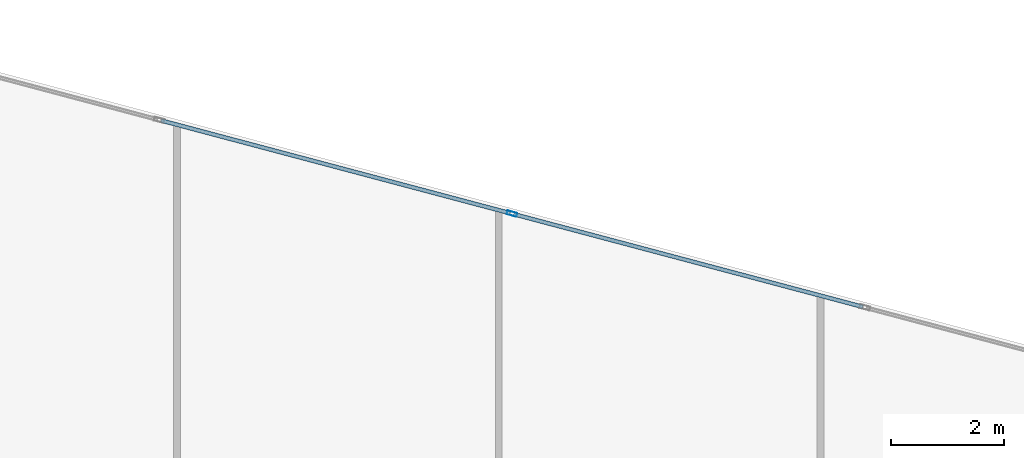
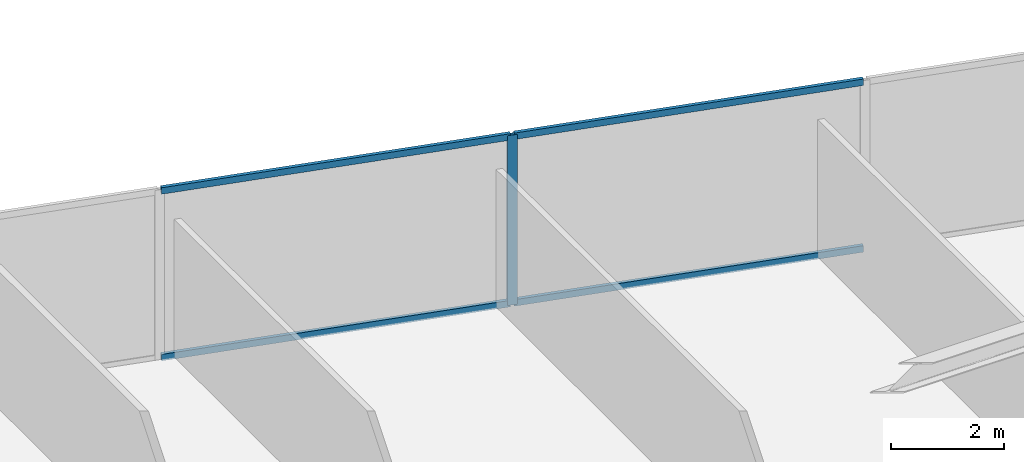
# One storey, part 18 of 27: 5 members, 1 element without a shape of its own.
"""IFC4 building model written with IfcOpenShell, lengths in metres."""

from ifc_helpers import new_model, si_unit, direction, frame, origin, origin_2d, place, context, subcontext, project, spatial, hollow_rectangle, extrude, source, transform, mapped, material, material_profile, profile_set, type_object, type_shapes, element, aggregate, save


model = new_model("IFC4")

# Units and contexts
model_context = context("Model", 3, precision=1e-05, world=origin(), true_north=direction((0.0, 1.0)))
body_context = subcontext(model_context, "Body", "Model", "MODEL_VIEW")
ifc_project = project(units=[si_unit("LENGTHUNIT", "METRE"), si_unit("AREAUNIT", "SQUARE_METRE"), si_unit("VOLUMEUNIT", "CUBIC_METRE"), si_unit("PLANEANGLEUNIT", "RADIAN"), si_unit("MASSUNIT", "GRAM", prefix="KILO")], contexts=[model_context])

# Site, building, storey
site_placement = place(None, origin())
site = spatial("IfcSite", under=ifc_project, at=site_placement, CompositionType="ELEMENT")
building_placement = place(site_placement, origin())
building = spatial("IfcBuilding", under=site, at=building_placement, Name="Krantzveldt Concourse Tower", CompositionType="ELEMENT")
storey_placement = place(building_placement, frame((0.0, 0.0, 97.949951171875)))
storey = spatial("IfcBuildingStorey", under=building, at=storey_placement, Name="L23", CompositionType="ELEMENT", Elevation=97.949951171875)

# Curtain wall, members
ifc_material = material(Name="Anodised aluminium 6063-T6", Category="aluminium")
curtain_wall_type = type_object("IfcCurtainWallType", Name="CW2", PredefinedType="USERDEFINED", material=ifc_material)
curtain_wall_placement = place(storey_placement, origin())
curtain_wall = element("IfcCurtainWall", 1, at=curtain_wall_placement, inside=storey, type_object=curtain_wall_type, Name="CW-L23-F14", ObjectType="UNITISED CURTAIN WALL", PredefinedType="USERDEFINED")
ifc_material_profile_1 = material_profile(ifc_material, hollow_rectangle(XDim=0.070068359375, YDim=0.179931640625, WallThickness=0.0048828125, at=origin_2d()), Name="Anodised aluminium 6063-T6", Category="aluminium")
ifc_profile_set_1 = profile_set([ifc_material_profile_1], Name="Anodised aluminium 6063-T6 - ALU-MULL 180x70x5")
member_type_1 = type_object("IfcMemberType", Name="CW-MUL-180", PredefinedType="MULLION", material=ifc_profile_set_1)
shared_shape_1 = source(origin(), body_context, "Body", "SweptSolid", [
    extrude(hollow_rectangle(XDim=0.070068359375, YDim=0.179931640625, WallThickness=0.0048828125, at=origin_2d()), origin(), (0.0, 0.0, 1.0), 3.670166015625),
])
type_shapes(member_type_1, [shared_shape_1])
member_1_placement = place(storey_placement, frame((35.73388671875, 50.888916015625, 0.0), z_axis=(0.0, 0.0, 1.0), x_axis=(-0.256711093648, -0.966488186373, 0.0)))
member_1 = element("IfcMember", 2, at=member_1_placement, type_object=member_type_1, Name="CW-Z12 mullion 5", PredefinedType="MULLION", context=body_context, shape_type="MappedRepresentation", body=[
    mapped(shared_shape_1, transform((0.0, 0.0, 0.0), x_axis=(1.0, 0.0, 0.0), y_axis=(0.0, 1.0, 0.0), z_axis=(0.0, 0.0, 1.0), scale=1.0)),
])
ifc_material_profile_2 = material_profile(ifc_material, hollow_rectangle(XDim=0.070068359375, YDim=0.139892578125, WallThickness=0.0048828125, at=origin_2d()), Name="Anodised aluminium 6063-T6", Category="aluminium")
ifc_profile_set_2 = profile_set([ifc_material_profile_2], Name="Anodised aluminium 6063-T6 - ALU-TRAN 140x70x5")
member_type_2 = type_object("IfcMemberType", Name="CW-TRN-150", PredefinedType="USERDEFINED", material=ifc_profile_set_2)
shared_shape_2 = source(origin(), body_context, "Body", "SweptSolid", [
    extrude(hollow_rectangle(XDim=0.070068359375, YDim=0.139892578125, WallThickness=0.0048828125, at=origin_2d()), origin(), (0.0, 0.0, 1.0), 6.396728515625),
])
type_shapes(member_type_2, [shared_shape_2])
member_2_placement = place(storey_placement, frame((41.9501953125, 49.23779296875, 0.03515625), z_axis=(-0.966489121884, 0.256707571528, 0.0), x_axis=(-0.256707571528, -0.966489121884, 0.0)))
member_2 = element("IfcMember", 3, at=member_2_placement, type_object=member_type_2, Name="CW-Z12 transom 4.1", ObjectType="TRANSOM", PredefinedType="USERDEFINED", context=body_context, shape_type="MappedRepresentation", body=[
    mapped(shared_shape_2, transform((0.0, 0.0, 0.0), x_axis=(1.0, 0.0, 0.0), y_axis=(0.0, 1.0, 0.0), z_axis=(0.0, 0.0, 1.0), scale=1.0)),
])
member_3_placement = place(storey_placement, frame((41.9501953125, 49.23779296875, 3.635009765625), z_axis=(-0.966489121884, 0.256707571528, 0.0), x_axis=(-0.256707571528, -0.966489121884, 0.0)))
member_3 = element("IfcMember", 4, at=member_3_placement, type_object=member_type_2, Name="CW-Z12 transom 4.2", ObjectType="TRANSOM", PredefinedType="USERDEFINED", context=body_context, shape_type="MappedRepresentation", body=[
    mapped(shared_shape_2, transform((0.0, 0.0, 0.0), x_axis=(1.0, 0.0, 0.0), y_axis=(0.0, 1.0, 0.0), z_axis=(0.0, 0.0, 1.0), scale=1.0)),
])
member_4_placement = place(storey_placement, frame((35.7001953125, 50.89794921875, 0.03515625), z_axis=(-0.966489121884, 0.256707571528, 0.0), x_axis=(-0.256707571528, -0.966489121884, 0.0)))
member_4 = element("IfcMember", 5, at=member_4_placement, type_object=member_type_2, Name="CW-Z12 transom 5.1", ObjectType="TRANSOM", PredefinedType="USERDEFINED", context=body_context, shape_type="MappedRepresentation", body=[
    mapped(shared_shape_2, transform((0.0, 0.0, 0.0), x_axis=(1.0, 0.0, 0.0), y_axis=(0.0, 1.0, 0.0), z_axis=(0.0, 0.0, 1.0), scale=1.0)),
])
member_5_placement = place(storey_placement, frame((35.7001953125, 50.89794921875, 3.635009765625), z_axis=(-0.966489121884, 0.256707571528, 0.0), x_axis=(-0.256707571528, -0.966489121884, 0.0)))
member_5 = element("IfcMember", 6, at=member_5_placement, type_object=member_type_2, Name="CW-Z12 transom 5.2", ObjectType="TRANSOM", PredefinedType="USERDEFINED", context=body_context, shape_type="MappedRepresentation", body=[
    mapped(shared_shape_2, transform((0.0, 0.0, 0.0), x_axis=(1.0, 0.0, 0.0), y_axis=(0.0, 1.0, 0.0), z_axis=(0.0, 0.0, 1.0), scale=1.0)),
])
aggregate(curtain_wall, [member_1, member_2, member_3, member_4, member_5])

save(model, "model.ifc")
